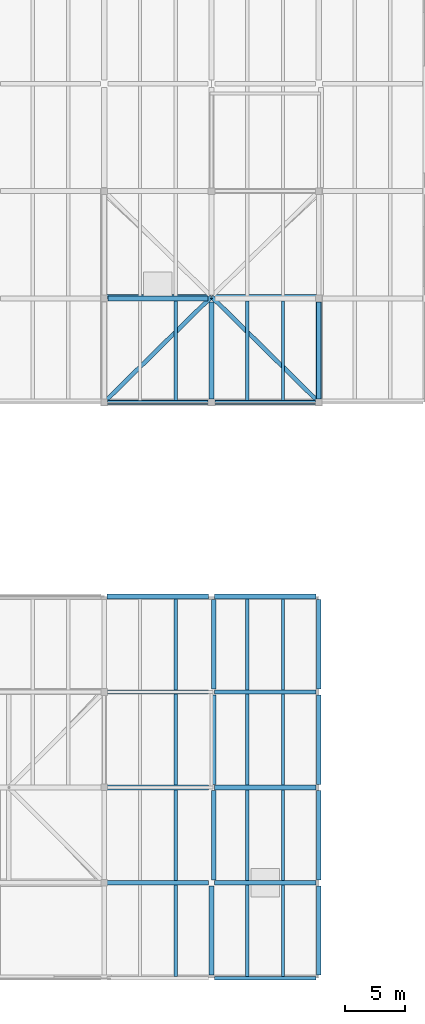
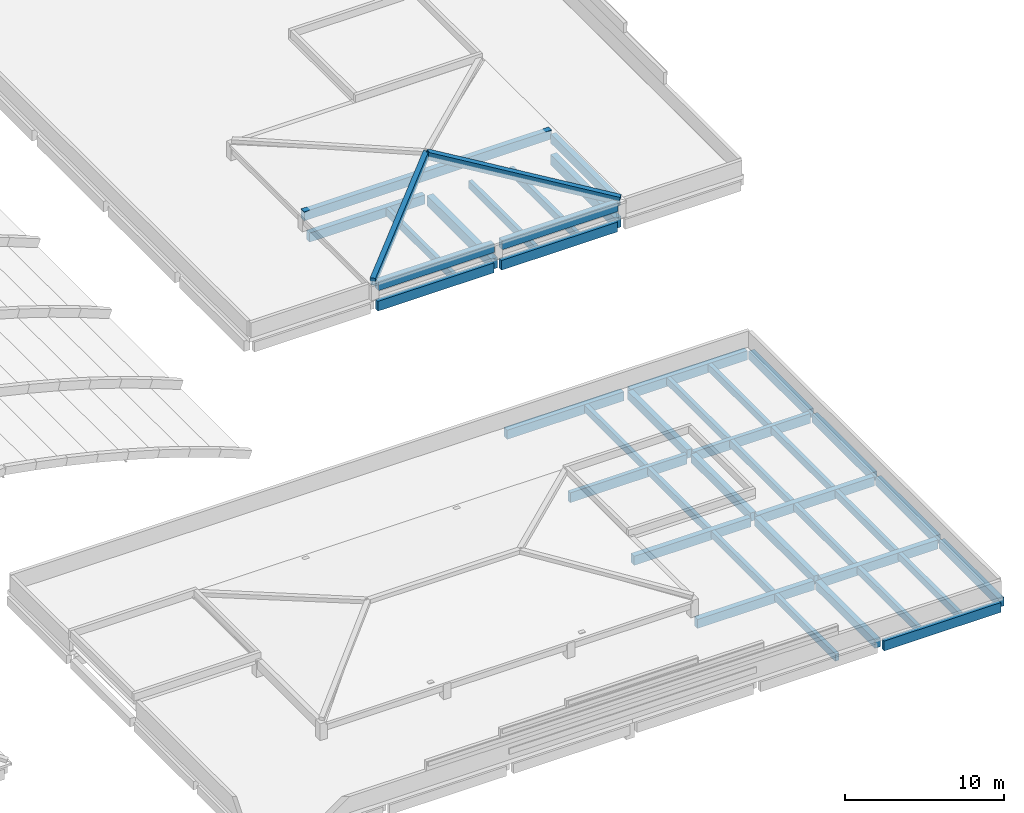
# One storey, part 29 of 56: 43 beams.
"""IFC4 building model written with IfcOpenShell, lengths in metres."""

from ifc_helpers import new_model, si_unit, direction, frame, origin, origin_2d, place, context, subcontext, project, spatial, rectangle, extrude, material, material_profile, profile_set, type_object, element, save


model = new_model("IFC4")

# Units and contexts
model_context = context("Model", 3, precision=1e-05, world=origin(), true_north=direction((0.0, 1.0)))
body_context = subcontext(model_context, "Body", "Model", "MODEL_VIEW")
ifc_project = project(units=[si_unit("LENGTHUNIT", "METRE"), si_unit("AREAUNIT", "SQUARE_METRE"), si_unit("VOLUMEUNIT", "CUBIC_METRE"), si_unit("PLANEANGLEUNIT", "RADIAN"), si_unit("MASSUNIT", "GRAM", prefix="KILO")], contexts=[model_context])

# Site, building, storey
site_placement = place(None, origin())
site = spatial("IfcSite", under=ifc_project, at=site_placement, CompositionType="ELEMENT")
building_placement = place(site_placement, origin())
building = spatial("IfcBuilding", under=site, at=building_placement, Name="Zacnel Wholesale Market", CompositionType="ELEMENT")
storey_placement = place(building_placement, frame((0.0, 0.0, 20.300048828125)))
storey = spatial("IfcBuildingStorey", under=building, at=storey_placement, Name="RF", CompositionType="ELEMENT", Elevation=20.300048828125)

# Beams
ifc_material_1 = material(Name="Concrete C40/50", Category="concrete")
ifc_material_profile_1 = material_profile(ifc_material_1, rectangle(XDim=0.35009765625, YDim=0.60009765625, at=origin_2d()), Name="ARCH RIB 350x600")
ifc_profile_set_1 = profile_set([ifc_material_profile_1], Name="Concrete C40/50")
beam_type_1 = type_object("IfcBeamType", Name="BM-AR600", PredefinedType="USERDEFINED", material=ifc_profile_set_1)
for number, where, z_axis, x_axis, name in (
    (1, (189.0, 48.300048828125, 1.22998046875), (0.709277263374, 0.697444431425, 0.102455008341), (-0.701134051624, 0.713029481615, 0.0), "Hipped crown rib STR-ROOF-V1ELAN-1"),
    (2, (207.0, 48.300048828125, 1.22998046875), (-0.709277263374, 0.697444431425, 0.102455008341), (-0.701134051624, -0.713029481615, 0.0), "Hipped crown rib STR-ROOF-V1ELAN-2"),
):
    element("IfcBeam", number, at=place(storey_placement, frame(where, z_axis=z_axis, x_axis=x_axis)), inside=storey, type_object=beam_type_1, Name=name, ObjectType="ARCH RIB", PredefinedType="USERDEFINED", context=body_context, shape_type="SweptSolid", body=[
        extrude(rectangle(XDim=0.35009765625, YDim=0.60009765625, at=origin_2d()), origin(), (0.0, 0.0, 1.0), 12.68896484375),
    ])
ifc_material_2 = material(Name="Precast concrete C45/55", Category="concrete")
ifc_material_profile_2 = material_profile(ifc_material_2, rectangle(XDim=0.280029296875, YDim=0.550048828125, at=origin_2d()), Name="DT RIB 280x550")
ifc_profile_set_2 = profile_set([ifc_material_profile_2], Name="Precast concrete C45/55")
beam_type_2 = type_object("IfcBeamType", Name="BM-DT550", PredefinedType="JOIST", material=ifc_profile_set_2)
for number, where, z_axis, x_axis, name in (
    (3, (195.0, 0.14990234375, -0.574951171875), (0.0, 1.0, 0.0), (-1.0, 0.0, 0.0), "Precast secondary joist RF-0794"),
    (4, (201.0, 0.14990234375, -0.574951171875), (0.0, 1.0, 0.0), (-1.0, 0.0, 0.0), "Precast secondary joist RF-0795"),
    (5, (204.0, 0.14990234375, -0.574951171875), (0.0, 1.0, 0.0), (-1.0, 0.0, 0.0), "Precast secondary joist RF-0796"),
):
    element("IfcBeam", number, at=place(storey_placement, frame(where, z_axis=z_axis, x_axis=x_axis)), inside=storey, type_object=beam_type_2, Name=name, PredefinedType="JOIST", context=body_context, shape_type="SweptSolid", body=[
        extrude(rectangle(XDim=0.280029296875, YDim=0.550048828125, at=origin_2d()), origin(), (0.0, 0.0, 1.0), 7.650146484375),
    ])
for number, where, z_axis, x_axis, name in (
    (6, (195.0, 8.199951171875, -0.574951171875), (0.0, 1.0, 0.0), (-1.0, 0.0, 0.0), "Precast secondary joist RF-0802"),
    (7, (201.0, 8.199951171875, -0.574951171875), (0.0, 1.0, 0.0), (-1.0, 0.0, 0.0), "Precast secondary joist RF-0803"),
    (8, (204.0, 8.199951171875, -0.574951171875), (0.0, 1.0, 0.0), (-1.0, 0.0, 0.0), "Precast secondary joist RF-0804"),
):
    element("IfcBeam", number, at=place(storey_placement, frame(where, z_axis=z_axis, x_axis=x_axis)), inside=storey, type_object=beam_type_2, Name=name, PredefinedType="JOIST", context=body_context, shape_type="SweptSolid", body=[
        extrude(rectangle(XDim=0.280029296875, YDim=0.550048828125, at=origin_2d()), origin(), (0.0, 0.0, 1.0), 7.60009765625),
    ])
for number, where, z_axis, x_axis, name in (
    (9, (195.0, 16.199951171875, -0.574951171875), (0.0, 1.0, 0.0), (-1.0, 0.0, 0.0), "Precast secondary joist RF-0814"),
    (10, (201.0, 16.199951171875, -0.574951171875), (0.0, 1.0, 0.0), (-1.0, 0.0, 0.0), "Precast secondary joist RF-0815"),
    (11, (204.0, 16.199951171875, -0.574951171875), (0.0, 1.0, 0.0), (-1.0, 0.0, 0.0), "Precast secondary joist RF-0816"),
    (12, (195.0, 24.14990234375, -0.574951171875), (0.0, 1.0, 0.0), (-1.0, 0.0, 0.0), "Precast secondary joist RF-0826"),
    (13, (201.0, 24.14990234375, -0.574951171875), (0.0, 1.0, 0.0), (-1.0, 0.0, 0.0), "Precast secondary joist RF-0827"),
    (14, (204.0, 24.14990234375, -0.574951171875), (0.0, 1.0, 0.0), (-1.0, 0.0, 0.0), "Precast secondary joist RF-0828"),
):
    element("IfcBeam", number, at=place(storey_placement, frame(where, z_axis=z_axis, x_axis=x_axis)), inside=storey, type_object=beam_type_2, Name=name, PredefinedType="JOIST", context=body_context, shape_type="SweptSolid", body=[
        extrude(rectangle(XDim=0.280029296875, YDim=0.550048828125, at=origin_2d()), origin(), (0.0, 0.0, 1.0), 7.650146484375),
    ])
ifc_material_3 = material(Name="Precast concrete C45/55", Category="concrete")
ifc_material_profile_3 = material_profile(ifc_material_3, rectangle(XDim=0.280029296875, YDim=0.60009765625, at=origin_2d()), Name="DT RIB 280x600")
ifc_profile_set_3 = profile_set([ifc_material_profile_3], Name="Precast concrete C45/55")
beam_type_3 = type_object("IfcBeamType", Name="BM-DT600", PredefinedType="JOIST", material=ifc_profile_set_3)
for number, where, z_axis, x_axis, name in (
    (15, (195.0, 48.449951171875, -0.60009765625), (0.0, 1.0, 0.0), (-1.0, 0.0, 0.0), "Precast secondary joist RF-0844"),
    (16, (201.0, 48.449951171875, -0.60009765625), (0.0, 1.0, 0.0), (-1.0, 0.0, 0.0), "Precast secondary joist RF-0845"),
    (17, (204.0, 48.449951171875, -0.60009765625), (0.0, 1.0, 0.0), (-1.0, 0.0, 0.0), "Precast secondary joist RF-0846"),
):
    element("IfcBeam", number, at=place(storey_placement, frame(where, z_axis=z_axis, x_axis=x_axis)), inside=storey, type_object=beam_type_3, Name=name, PredefinedType="JOIST", context=body_context, shape_type="SweptSolid", body=[
        extrude(rectangle(XDim=0.280029296875, YDim=0.60009765625, at=origin_2d()), origin(), (0.0, 0.0, 1.0), 8.35009765625),
    ])
ifc_material_4 = material(Name="Precast concrete C45/55", Category="concrete")
ifc_material_profile_4 = material_profile(ifc_material_4, rectangle(XDim=0.39990234375, YDim=0.64990234375, at=origin_2d()), Name="PG 400x650")
ifc_profile_set_4 = profile_set([ifc_material_profile_4], Name="Precast concrete C45/55")
beam_type_4 = type_object("IfcBeamType", Name="BM-PG650", PredefinedType="BEAM", material=ifc_profile_set_4)
for number, where, z_axis, x_axis, name in (
    (18, (198.0, 0.25, -0.625), (0.0, 1.0, 0.0), (-1.0, 0.0, 0.0), "Precast girder Y-1523"),
    (19, (198.179931640625, 8.25, -0.625), (0.0, 1.0, 0.0), (-1.0, 0.0, 0.0), "Precast girder Y-1524"),
    (20, (198.179931640625, 16.25, -0.625), (0.0, 1.0, 0.0), (-1.0, 0.0, 0.0), "Precast girder Y-1525"),
    (21, (198.179931640625, 24.25, -0.625), (0.0, 1.0, 0.0), (-1.0, 0.0, 0.0), "Precast girder Y-1526"),
    (22, (207.0, 0.25, -0.625), (0.0, 1.0, 0.0), (-1.0, 0.0, 0.0), "Precast girder Y-1532"),
    (23, (207.0, 8.25, -0.625), (0.0, 1.0, 0.0), (-1.0, 0.0, 0.0), "Precast girder Y-1533"),
    (24, (207.0, 16.25, -0.625), (0.0, 1.0, 0.0), (-1.0, 0.0, 0.0), "Precast girder Y-1534"),
    (25, (207.0, 24.25, -0.625), (0.0, 1.0, 0.0), (-1.0, 0.0, 0.0), "Precast girder Y-1535"),
):
    element("IfcBeam", number, at=place(storey_placement, frame(where, z_axis=z_axis, x_axis=x_axis)), inside=storey, type_object=beam_type_4, Name=name, PredefinedType="BEAM", context=body_context, shape_type="SweptSolid", body=[
        extrude(rectangle(XDim=0.39990234375, YDim=0.64990234375, at=origin_2d()), origin(), (0.0, 0.0, 1.0), 7.5),
    ])
ifc_material_5 = material(Name="Precast concrete C45/55", Category="concrete")
ifc_material_profile_5 = material_profile(ifc_material_5, rectangle(XDim=0.39990234375, YDim=0.699951171875, at=origin_2d()), Name="PG 400x700")
ifc_profile_set_5 = profile_set([ifc_material_profile_5], Name="Precast concrete C45/55")
beam_type_5 = type_object("IfcBeamType", Name="BM-PG700", PredefinedType="BEAM", material=ifc_profile_set_5)
for number, where, z_axis, x_axis, name in (
    (26, (189.25, 8.0, -0.650146484375), (1.0, 0.0, 0.0), (0.0, 1.0, 0.0), "Precast girder X-1334"),
    (27, (198.25, 8.0, -0.650146484375), (1.0, 0.0, 0.0), (0.0, 1.0, 0.0), "Precast girder X-1335"),
    (28, (189.25, 16.0, -0.650146484375), (1.0, 0.0, 0.0), (0.0, 1.0, 0.0), "Precast girder X-1340"),
    (29, (198.25, 16.0, -0.650146484375), (1.0, 0.0, 0.0), (0.0, 1.0, 0.0), "Precast girder X-1341"),
    (30, (189.25, 32.0, -0.650146484375), (1.0, 0.0, 0.0), (0.0, 1.0, 0.0), "Precast girder X-1352"),
    (31, (198.25, 32.0, -0.650146484375), (1.0, 0.0, 0.0), (0.0, 1.0, 0.0), "Precast girder X-1353"),
):
    element("IfcBeam", number, at=place(storey_placement, frame(where, z_axis=z_axis, x_axis=x_axis)), inside=storey, type_object=beam_type_5, Name=name, PredefinedType="BEAM", context=body_context, shape_type="SweptSolid", body=[
        extrude(rectangle(XDim=0.39990234375, YDim=0.699951171875, at=origin_2d()), origin(), (0.0, 0.0, 1.0), 8.5),
    ])
beam_1_placement = place(storey_placement, frame((189.300048828125, 57.0, -0.650146484375), z_axis=(1.0, 0.0, 0.0), x_axis=(0.0, 1.0, 0.0)))
element("IfcBeam", 32, at=beam_1_placement, inside=storey, type_object=beam_type_5, Name="Precast girder X-1371", PredefinedType="BEAM", context=body_context, shape_type="SweptSolid", body=[
    extrude(rectangle(XDim=0.39990234375, YDim=0.699951171875, at=origin_2d()), origin(), (0.0, 0.0, 1.0), 8.39990234375),
])
for number, where, z_axis, x_axis, name in (
    (33, (189.280029296875, 48.300048828125, 0.89990234375), (1.0, 0.0, 0.0), (0.0, 1.0, 0.0), "Attic crown girder X V1ELAN-01"),
    (34, (198.280029296875, 48.300048828125, 0.89990234375), (1.0, 0.0, 0.0), (0.0, 1.0, 0.0), "Attic crown girder X V1ELAN-02"),
):
    element("IfcBeam", number, at=place(storey_placement, frame(where, z_axis=z_axis, x_axis=x_axis)), inside=storey, type_object=beam_type_5, Name=name, PredefinedType="BEAM", context=body_context, shape_type="SweptSolid", body=[
        extrude(rectangle(XDim=0.39990234375, YDim=0.699951171875, at=origin_2d()), origin(), (0.0, 0.0, 1.0), 8.43994140625),
    ])
beam_2_placement = place(storey_placement, frame((207.0, 48.580078125, 0.89990234375), z_axis=(0.0, 1.0, 0.0), x_axis=(-1.0, 0.0, 0.0)))
element("IfcBeam", 35, at=beam_2_placement, inside=storey, type_object=beam_type_5, Name="Attic crown girder Y V1ELAN-07", PredefinedType="BEAM", context=body_context, shape_type="SweptSolid", body=[
    extrude(rectangle(XDim=0.39990234375, YDim=0.699951171875, at=origin_2d()), origin(), (0.0, 0.0, 1.0), 8.139892578125),
])
beam_3_placement = place(storey_placement, frame((189.0, 57.14990234375, 1.0), z_axis=(1.0, 0.0, 0.0), x_axis=(0.0, 1.0, 0.0)))
element("IfcBeam", 36, at=beam_3_placement, inside=storey, type_object=beam_type_5, Name="Hipped crown tie beam STR-ROOF-V1ELAN-1", PredefinedType="BEAM", context=body_context, shape_type="SweptSolid", body=[
    extrude(rectangle(XDim=0.39990234375, YDim=0.699951171875, at=origin_2d()), origin(), (0.0, 0.0, 1.0), 18.0),
])
ifc_material_6 = material(Name="Precast concrete C45/55", Category="concrete")
ifc_material_profile_6 = material_profile(ifc_material_6, rectangle(XDim=0.449951171875, YDim=0.800048828125, at=origin_2d()), Name="PG 450x800")
ifc_profile_set_6 = profile_set([ifc_material_profile_6], Name="Precast concrete C45/55")
beam_type_6 = type_object("IfcBeamType", Name="BM-PG800", PredefinedType="BEAM", material=ifc_profile_set_6)
for number, where, z_axis, x_axis, name in (
    (37, (198.0, 48.574951171875, -0.699951171875), (0.0, 1.0, 0.0), (-1.0, 0.0, 0.0), "Precast girder Y-1527"),
    (38, (207.0, 48.574951171875, -0.699951171875), (0.0, 1.0, 0.0), (-1.0, 0.0, 0.0), "Precast girder Y-1536"),
):
    element("IfcBeam", number, at=place(storey_placement, frame(where, z_axis=z_axis, x_axis=x_axis)), inside=storey, type_object=beam_type_6, Name=name, PredefinedType="BEAM", context=body_context, shape_type="SweptSolid", body=[
        extrude(rectangle(XDim=0.449951171875, YDim=0.800048828125, at=origin_2d()), origin(), (0.0, 0.0, 1.0), 8.125),
    ])
ifc_material_7 = material(Name="Precast concrete C45/55", Category="concrete")
ifc_material_profile_7 = material_profile(ifc_material_7, rectangle(XDim=0.300048828125, YDim=0.75, at=origin_2d()), Name="SP 300x750")
ifc_profile_set_7 = profile_set([ifc_material_profile_7], Name="Precast concrete C45/55")
beam_type_7 = type_object("IfcBeamType", Name="BM-SP750", PredefinedType="SPANDREL", material=ifc_profile_set_7)
for number, where, z_axis, x_axis, name in (
    (39, (198.25, 0.0, -0.675048828125), (1.0, 0.0, 0.0), (0.0, 1.0, 0.0), "Precast girder X-1330"),
    (40, (189.25, 24.0, -0.675048828125), (1.0, 0.0, 0.0), (0.0, 1.0, 0.0), "Precast girder X-1346"),
    (41, (198.25, 24.0, -0.675048828125), (1.0, 0.0, 0.0), (0.0, 1.0, 0.0), "Precast girder X-1347"),
):
    element("IfcBeam", number, at=place(storey_placement, frame(where, z_axis=z_axis, x_axis=x_axis)), inside=storey, type_object=beam_type_7, Name=name, PredefinedType="SPANDREL", context=body_context, shape_type="SweptSolid", body=[
        extrude(rectangle(XDim=0.300048828125, YDim=0.75, at=origin_2d()), origin(), (0.0, 0.0, 1.0), 8.5),
    ])
for number, where, z_axis, x_axis, name in (
    (42, (189.27490234375, 48.300048828125, -0.675048828125), (1.0, 0.0, 0.0), (0.0, 1.0, 0.0), "Precast girder X-1361"),
    (43, (198.27490234375, 48.300048828125, -0.675048828125), (1.0, 0.0, 0.0), (0.0, 1.0, 0.0), "Precast girder X-1362"),
):
    element("IfcBeam", number, at=place(storey_placement, frame(where, z_axis=z_axis, x_axis=x_axis)), inside=storey, type_object=beam_type_7, Name=name, PredefinedType="SPANDREL", context=body_context, shape_type="SweptSolid", body=[
        extrude(rectangle(XDim=0.300048828125, YDim=0.75, at=origin_2d()), origin(), (0.0, 0.0, 1.0), 8.4501953125),
    ])

save(model, "model.ifc")
